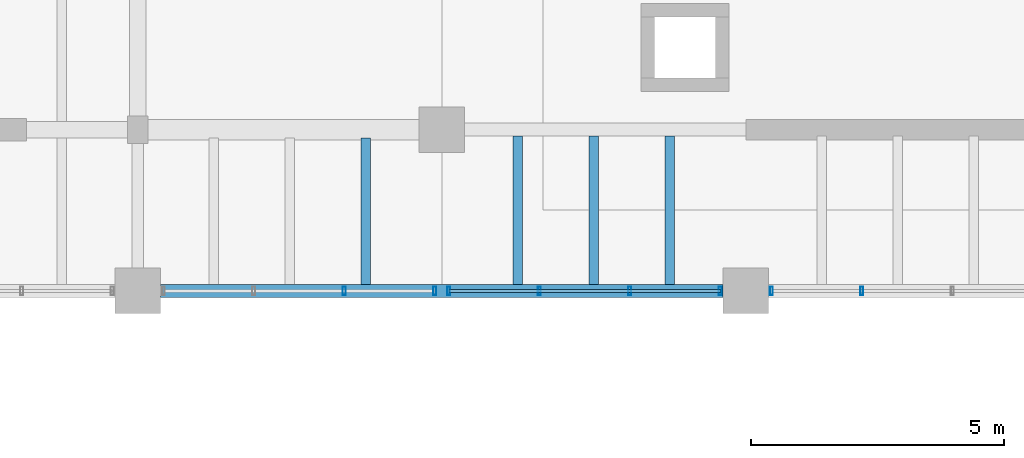
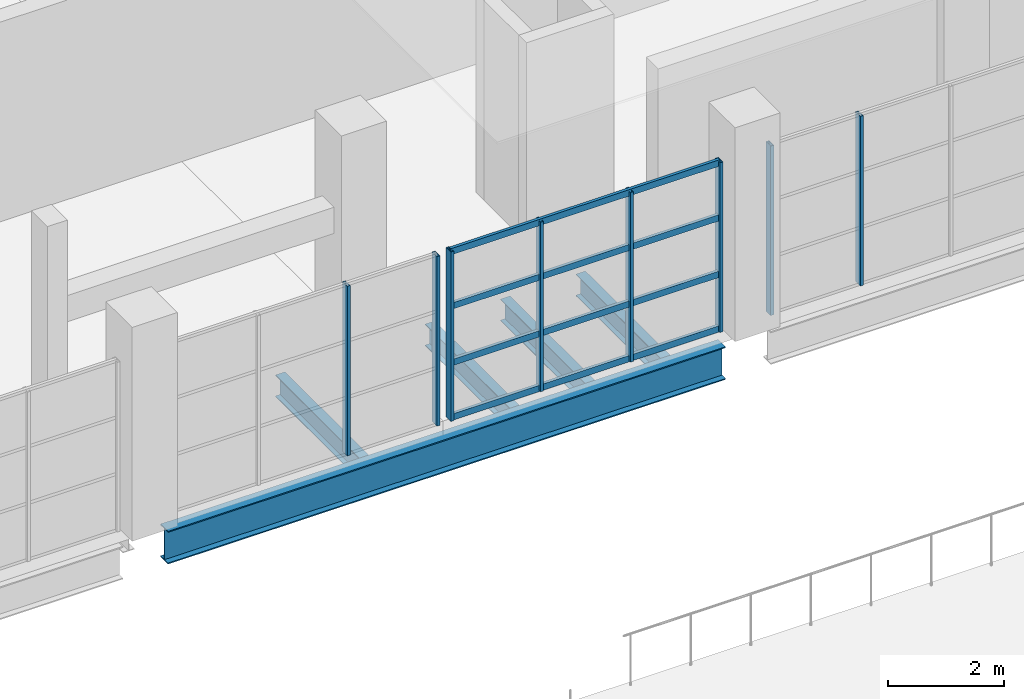
# One storey, part 38 of 78: 12 members, 5 beams, 3 elements without a shape of their own.
"""IFC4 building model written with IfcOpenShell, lengths in metres."""

from ifc_helpers import new_model, si_unit, direction, frame, origin, origin_2d, place, context, subcontext, project, spatial, hollow_rectangle, i_section, extrude, material, material_profile, profile_set, type_object, element, aggregate, save


model = new_model("IFC4")

# Units and contexts
model_context = context("Model", 3, precision=1e-05, world=origin(), true_north=direction((0.0, 1.0)))
body_context = subcontext(model_context, "Body", "Model", "MODEL_VIEW")
ifc_project = project(units=[si_unit("LENGTHUNIT", "METRE"), si_unit("AREAUNIT", "SQUARE_METRE"), si_unit("VOLUMEUNIT", "CUBIC_METRE"), si_unit("PLANEANGLEUNIT", "RADIAN"), si_unit("MASSUNIT", "GRAM", prefix="KILO")], contexts=[model_context])

# Site, building, storey
site_placement = place(None, origin())
site = spatial("IfcSite", under=ifc_project, at=site_placement, CompositionType="ELEMENT")
building_placement = place(site_placement, origin())
building = spatial("IfcBuilding", under=site, at=building_placement, Name="Kelmvaro Bay Concert Hall", CompositionType="ELEMENT")
storey_placement = place(building_placement, frame((0.0, 0.0, 9.300048828125)))
storey = spatial("IfcBuildingStorey", under=building, at=storey_placement, Name="L02", CompositionType="ELEMENT", Elevation=9.300048828125)

# Beam
ifc_material_1 = material(Name="Steel ASTM A992 Grade 50", Category="steel")
ifc_material_profile_1 = material_profile(ifc_material_1, i_section(OverallWidth=0.256103515625, OverallDepth=0.693115234375, WebThickness=0.014404296875, FlangeThickness=0.023681640625, at=origin_2d()), Name="W27X114")
ifc_profile_set_1 = profile_set([ifc_material_profile_1], Name="Steel ASTM A992 Grade 50")
beam_type_1 = type_object("IfcBeamType", Name="Foyer Primary Girder W27x114", PredefinedType="BEAM", material=ifc_profile_set_1)
beam_1_placement = place(storey_placement, frame((12.449951171875, 65.39990234375, -0.646484375), z_axis=(1.0, 0.0, 0.0), x_axis=(0.0, 1.0, 0.0)))
element("IfcBeam", 1, at=beam_1_placement, inside=storey, type_object=beam_type_1, Name="L02 Girder BM-L02-EW-0750", PredefinedType="BEAM", context=body_context, shape_type="SweptSolid", body=[
    extrude(i_section(OverallWidth=0.256103515625, OverallDepth=0.693115234375, WebThickness=0.014404296875, FlangeThickness=0.023681640625, at=origin_2d()), origin(), (0.0, 0.0, 1.0), 11.10009765625),
])

# Curtain wall, members
ifc_material_2 = material(Name="Anodised Aluminium and Low-E Insulated Glazing", Category="aluminium")
curtain_wall_type = type_object("IfcCurtainWallType", Name="Symphony South Gallery Curtain Wall 3920", PredefinedType="USERDEFINED", material=ifc_material_2)
curtain_wall_1_placement = place(storey_placement, origin())
curtain_wall_1 = element("IfcCurtainWall", 2, at=curtain_wall_1_placement, inside=storey, type_object=curtain_wall_type, Name="Unitised Curtain Wall CW-L02-012", ObjectType="UNITISED GLAZING", PredefinedType="USERDEFINED")
ifc_material_3 = material(Name="Anodised Extruded Aluminium 6063-T6", Category="aluminium")
ifc_material_profile_2 = material_profile(ifc_material_3, hollow_rectangle(XDim=0.06005859375, YDim=0.1650390625, WallThickness=0.00390625, at=origin_2d()), Name="ALU-MUL-165X60")
ifc_profile_set_2 = profile_set([ifc_material_profile_2], Name="Anodised Extruded Aluminium 6063-T6")
member_type_1 = type_object("IfcMemberType", Name="Gallery Mullion ALU 165x60", PredefinedType="MULLION", material=ifc_profile_set_2)
member_1_placement = place(storey_placement, frame((17.860107421875, 65.39990234375, 0.0), z_axis=(0.0, 0.0, 1.0), x_axis=(1.0, 0.0, 0.0)))
member_1 = element("IfcMember", 3, at=member_1_placement, type_object=member_type_1, Name="CW-L02-012 Mullion 01", PredefinedType="MULLION", context=body_context, shape_type="SweptSolid", body=[
    extrude(hollow_rectangle(XDim=0.06005859375, YDim=0.1650390625, WallThickness=0.00390625, at=origin_2d()), origin(), (0.0, 0.0, 1.0), 3.56884765625),
])
member_2_placement = place(storey_placement, frame((16.074951171875, 65.39990234375, 0.0), z_axis=(0.0, 0.0, 1.0), x_axis=(1.0, 0.0, 0.0)))
member_2 = element("IfcMember", 4, at=member_2_placement, type_object=member_type_1, Name="CW-L02-012 Mullion 02", PredefinedType="MULLION", context=body_context, shape_type="SweptSolid", body=[
    extrude(hollow_rectangle(XDim=0.06005859375, YDim=0.1650390625, WallThickness=0.00390625, at=origin_2d()), origin(), (0.0, 0.0, 1.0), 3.56884765625),
])
aggregate(curtain_wall_1, [member_1, member_2])

curtain_wall_2_placement = place(storey_placement, origin())
curtain_wall_2 = element("IfcCurtainWall", 5, at=curtain_wall_2_placement, inside=storey, type_object=curtain_wall_type, Name="Unitised Curtain Wall CW-L02-013", ObjectType="UNITISED GLAZING", PredefinedType="USERDEFINED")
member_3_placement = place(storey_placement, frame((23.4951171875, 65.39990234375, 0.0), z_axis=(0.0, 0.0, 1.0), x_axis=(1.0, 0.0, 0.0)))
member_3 = element("IfcMember", 6, at=member_3_placement, type_object=member_type_1, Name="CW-L02-013 Mullion 01", PredefinedType="MULLION", context=body_context, shape_type="SweptSolid", body=[
    extrude(hollow_rectangle(XDim=0.06005859375, YDim=0.1650390625, WallThickness=0.00390625, at=origin_2d()), origin(), (0.0, 0.0, 1.0), 3.56884765625),
])
member_4_placement = place(storey_placement, frame((21.7099609375, 65.39990234375, 0.0), z_axis=(0.0, 0.0, 1.0), x_axis=(1.0, 0.0, 0.0)))
member_4 = element("IfcMember", 7, at=member_4_placement, type_object=member_type_1, Name="CW-L02-013 Mullion 02", PredefinedType="MULLION", context=body_context, shape_type="SweptSolid", body=[
    extrude(hollow_rectangle(XDim=0.06005859375, YDim=0.1650390625, WallThickness=0.00390625, at=origin_2d()), origin(), (0.0, 0.0, 1.0), 3.56884765625),
])
member_5_placement = place(storey_placement, frame((19.925048828125, 65.39990234375, 0.0), z_axis=(0.0, 0.0, 1.0), x_axis=(1.0, 0.0, 0.0)))
member_5 = element("IfcMember", 8, at=member_5_placement, type_object=member_type_1, Name="CW-L02-013 Mullion 03", PredefinedType="MULLION", context=body_context, shape_type="SweptSolid", body=[
    extrude(hollow_rectangle(XDim=0.06005859375, YDim=0.1650390625, WallThickness=0.00390625, at=origin_2d()), origin(), (0.0, 0.0, 1.0), 3.56884765625),
])
member_6_placement = place(storey_placement, frame((18.139892578125, 65.39990234375, 0.0), z_axis=(0.0, 0.0, 1.0), x_axis=(1.0, 0.0, 0.0)))
member_6 = element("IfcMember", 9, at=member_6_placement, type_object=member_type_1, Name="CW-L02-013 Mullion 04", PredefinedType="MULLION", context=body_context, shape_type="SweptSolid", body=[
    extrude(hollow_rectangle(XDim=0.06005859375, YDim=0.1650390625, WallThickness=0.00390625, at=origin_2d()), origin(), (0.0, 0.0, 1.0), 3.56884765625),
])

curtain_wall_3_placement = place(storey_placement, origin())
curtain_wall_3 = element("IfcCurtainWall", 10, at=curtain_wall_3_placement, inside=storey, type_object=curtain_wall_type, Name="Unitised Curtain Wall CW-L02-014", ObjectType="UNITISED GLAZING", PredefinedType="USERDEFINED")
member_7_placement = place(storey_placement, frame((26.2900390625, 65.39990234375, 0.0), z_axis=(0.0, 0.0, 1.0), x_axis=(1.0, 0.0, 0.0)))
member_7 = element("IfcMember", 11, at=member_7_placement, type_object=member_type_1, Name="CW-L02-014 Mullion 03", PredefinedType="MULLION", context=body_context, shape_type="SweptSolid", body=[
    extrude(hollow_rectangle(XDim=0.06005859375, YDim=0.1650390625, WallThickness=0.00390625, at=origin_2d()), origin(), (0.0, 0.0, 1.0), 3.56884765625),
])
member_8_placement = place(storey_placement, frame((24.5048828125, 65.39990234375, 0.0), z_axis=(0.0, 0.0, 1.0), x_axis=(1.0, 0.0, 0.0)))
member_8 = element("IfcMember", 12, at=member_8_placement, type_object=member_type_1, Name="CW-L02-014 Mullion 04", PredefinedType="MULLION", context=body_context, shape_type="SweptSolid", body=[
    extrude(hollow_rectangle(XDim=0.06005859375, YDim=0.1650390625, WallThickness=0.00390625, at=origin_2d()), origin(), (0.0, 0.0, 1.0), 3.56884765625),
])
aggregate(curtain_wall_3, [member_7, member_8])

# Member
ifc_material_4 = material(Name="Anodised Extruded Aluminium 6063-T6", Category="aluminium")
ifc_material_profile_3 = material_profile(ifc_material_4, hollow_rectangle(XDim=0.06005859375, YDim=0.135009765625, WallThickness=0.00390625, at=origin_2d()), Name="ALU-TRN-135X60")
ifc_profile_set_3 = profile_set([ifc_material_profile_3], Name="Anodised Extruded Aluminium 6063-T6")
member_type_2 = type_object("IfcMemberType", Name="Gallery Transom ALU 135x60", PredefinedType="USERDEFINED", material=ifc_profile_set_3)
member_9_placement = place(storey_placement, frame((23.4951171875, 65.39990234375, 0.0400390625), z_axis=(-1.0, 0.0, 0.0), x_axis=(0.0, -1.0, 0.0)))
member_9 = element("IfcMember", 13, at=member_9_placement, type_object=member_type_2, Name="CW-L02-013 Transom 01", ObjectType="TRANSOM", PredefinedType="USERDEFINED", context=body_context, shape_type="SweptSolid", body=[
    extrude(hollow_rectangle(XDim=0.06005859375, YDim=0.135009765625, WallThickness=0.00390625, at=origin_2d()), origin(), (0.0, 0.0, 1.0), 5.355224609375),
])

member_10_placement = place(storey_placement, frame((23.4951171875, 65.39990234375, 1.189697265625), z_axis=(-1.0, 0.0, 0.0), x_axis=(0.0, -1.0, 0.0)))
member_10 = element("IfcMember", 14, at=member_10_placement, type_object=member_type_2, Name="CW-L02-013 Transom 02", ObjectType="TRANSOM", PredefinedType="USERDEFINED", context=body_context, shape_type="SweptSolid", body=[
    extrude(hollow_rectangle(XDim=0.06005859375, YDim=0.135009765625, WallThickness=0.00390625, at=origin_2d()), origin(), (0.0, 0.0, 1.0), 5.355224609375),
])

member_11_placement = place(storey_placement, frame((23.4951171875, 65.39990234375, 2.379150390625), z_axis=(-1.0, 0.0, 0.0), x_axis=(0.0, -1.0, 0.0)))
member_11 = element("IfcMember", 15, at=member_11_placement, type_object=member_type_2, Name="CW-L02-013 Transom 03", ObjectType="TRANSOM", PredefinedType="USERDEFINED", context=body_context, shape_type="SweptSolid", body=[
    extrude(hollow_rectangle(XDim=0.06005859375, YDim=0.135009765625, WallThickness=0.00390625, at=origin_2d()), origin(), (0.0, 0.0, 1.0), 5.355224609375),
])

member_12_placement = place(storey_placement, frame((23.4951171875, 65.39990234375, 3.529052734375), z_axis=(-1.0, 0.0, 0.0), x_axis=(0.0, -1.0, 0.0)))
member_12 = element("IfcMember", 16, at=member_12_placement, type_object=member_type_2, Name="CW-L02-013 Transom 04", ObjectType="TRANSOM", PredefinedType="USERDEFINED", context=body_context, shape_type="SweptSolid", body=[
    extrude(hollow_rectangle(XDim=0.06005859375, YDim=0.135009765625, WallThickness=0.00390625, at=origin_2d()), origin(), (0.0, 0.0, 1.0), 5.355224609375),
])

aggregate(curtain_wall_2, [member_3, member_4, member_5, member_6, member_9, member_10, member_11, member_12])

# Beams
ifc_material_5 = material(Name="Steel ASTM A992 Grade 50", Category="steel")
ifc_material_profile_4 = material_profile(ifc_material_5, i_section(OverallWidth=0.19091796875, OverallDepth=0.45703125, WebThickness=0.009033203125, FlangeThickness=0.014404296875, at=origin_2d()), Name="W18X50")
ifc_profile_set_4 = profile_set([ifc_material_profile_4], Name="Steel ASTM A992 Grade 50")
beam_type_2 = type_object("IfcBeamType", Name="Standard Composite Floor Joist W18x50", PredefinedType="JOIST", material=ifc_profile_set_4)
beam_2_placement = place(storey_placement, frame((16.5, 65.528076171875, -0.528564453125), z_axis=(0.0, 1.0, 0.0), x_axis=(-1.0, 0.0, 0.0)))
element("IfcBeam", 17, at=beam_2_placement, inside=storey, type_object=beam_type_2, Name="L02 Floor Joist JST-L02-1200", PredefinedType="JOIST", context=body_context, shape_type="SweptSolid", body=[
    extrude(i_section(OverallWidth=0.19091796875, OverallDepth=0.45703125, WebThickness=0.009033203125, FlangeThickness=0.014404296875, at=origin_2d()), origin(), (0.0, 0.0, 1.0), 2.889892578125),
])
for number, where, z_axis, x_axis, name in (
    (18, (19.5, 65.528076171875, -0.528564453125), (0.0, 1.0, 0.0), (-1.0, 0.0, 0.0), "L02 Floor Joist JST-L02-1201"),
    (19, (21.0, 65.528076171875, -0.528564453125), (0.0, 1.0, 0.0), (-1.0, 0.0, 0.0), "L02 Floor Joist JST-L02-1202"),
    (20, (22.5, 65.528076171875, -0.528564453125), (0.0, 1.0, 0.0), (-1.0, 0.0, 0.0), "L02 Floor Joist JST-L02-1203"),
):
    element("IfcBeam", number, at=place(storey_placement, frame(where, z_axis=z_axis, x_axis=x_axis)), inside=storey, type_object=beam_type_2, Name=name, PredefinedType="JOIST", context=body_context, shape_type="SweptSolid", body=[
        extrude(i_section(OverallWidth=0.19091796875, OverallDepth=0.45703125, WebThickness=0.009033203125, FlangeThickness=0.014404296875, at=origin_2d()), origin(), (0.0, 0.0, 1.0), 2.923828125),
    ])

save(model, "model.ifc")
